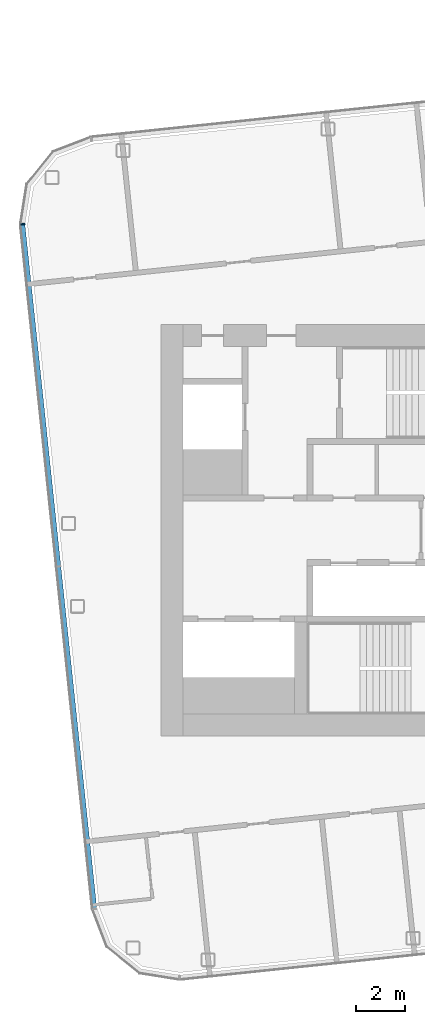
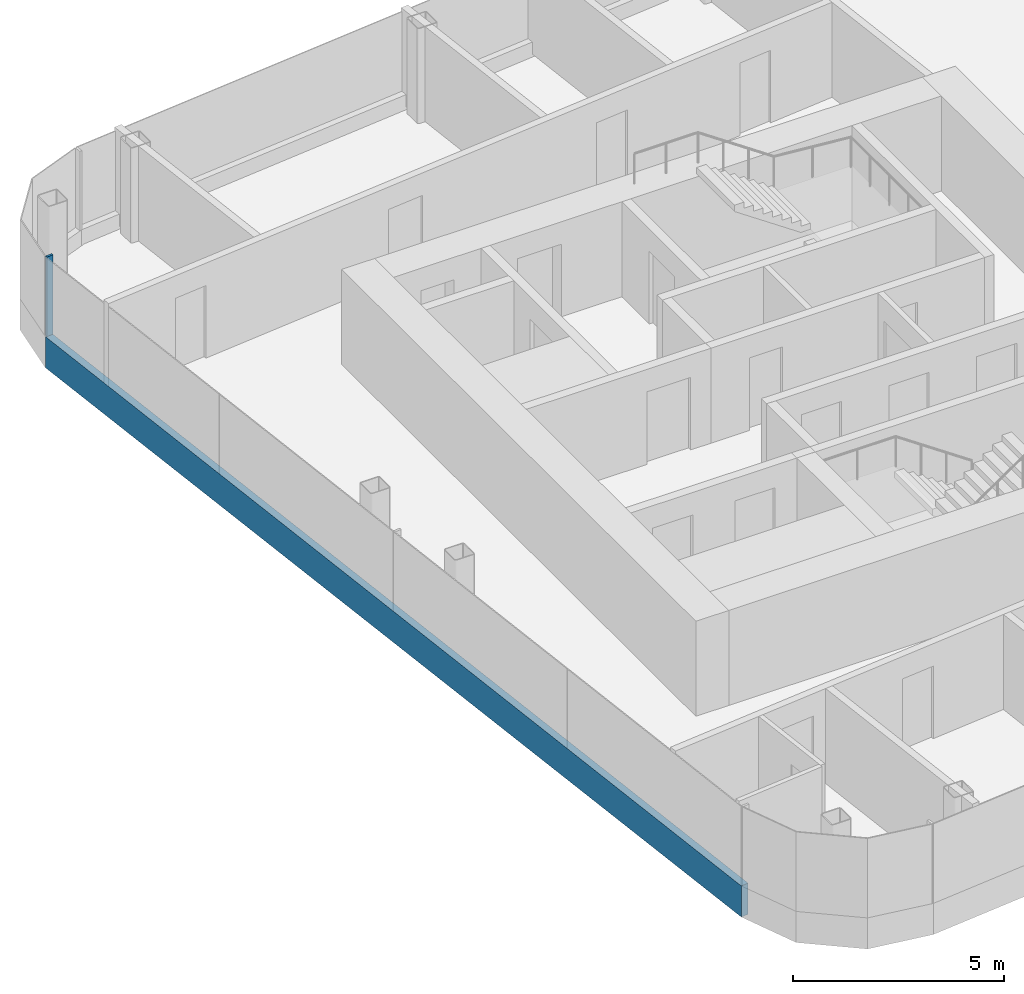
# One storey, part 4 of 27: 2 members, 1 element without a shape of its own.
"""IFC4 building model written with IfcOpenShell, lengths in metres."""

from ifc_helpers import new_model, si_unit, direction, frame, origin, origin_2d, place, context, subcontext, project, spatial, rectangle, extrude, material, layer, layer_set, material_profile, profile_set, type_object, element, aggregate, save


model = new_model("IFC4")

# Units and contexts
model_context = context("Model", 3, precision=1e-05, world=origin(), true_north=direction((0.0, 1.0)))
body_context = subcontext(model_context, "Body", "Model", "MODEL_VIEW")
ifc_project = project(units=[si_unit("LENGTHUNIT", "METRE"), si_unit("AREAUNIT", "SQUARE_METRE"), si_unit("VOLUMEUNIT", "CUBIC_METRE"), si_unit("PLANEANGLEUNIT", "RADIAN"), si_unit("MASSUNIT", "GRAM", prefix="KILO")], contexts=[model_context])

# Site, building, storey
site_placement = place(None, origin())
site = spatial("IfcSite", under=ifc_project, at=site_placement, CompositionType="ELEMENT")
building_placement = place(site_placement, origin())
building = spatial("IfcBuilding", under=site, at=building_placement, Name="Hakoniwa Tower and Hamabe Station Hall", CompositionType="ELEMENT")
storey_placement = place(building_placement, frame((0.0, 0.0, 255.0)))
storey = spatial("IfcBuildingStorey", under=building, at=storey_placement, Name="L72", CompositionType="ELEMENT", Elevation=255.0)

# Curtain wall, members
ifc_material_1 = material(Name="Dark low-e laminated glass", Category="glass")
ifc_layer = layer(ifc_material_1, 0.199951171875)
ifc_layer_set = layer_set([ifc_layer], Name="CW-1 UNITISED GUEST")
curtain_wall_type = type_object("IfcCurtainWallType", Name="CW-1 UNITISED GUEST", PredefinedType="NOTDEFINED", material=ifc_layer_set)
curtain_wall_placement = place(storey_placement, origin())
curtain_wall = element("IfcCurtainWall", 1, at=curtain_wall_placement, inside=storey, type_object=curtain_wall_type, Name="CW-1 curtain wall", PredefinedType="NOTDEFINED")
ifc_material_2 = material(Name="Aluminium 6063-T5 black anodised", Category="aluminium")
ifc_material_profile_1 = material_profile(ifc_material_2, rectangle(XDim=0.199951171875, YDim=0.89990234375, at=origin_2d()), Name="CW SLAB-EDGE BAND 900X200")
ifc_profile_set_1 = profile_set([ifc_material_profile_1], Name="Aluminium 6063-T5 black anodised")
member_type_1 = type_object("IfcMemberType", Name="CW SLAB-EDGE BAND 900X200", PredefinedType="USERDEFINED", material=ifc_profile_set_1)
member_1_placement = place(storey_placement, frame((-39.25927734375, 12.490478515625, -0.10009765625), z_axis=(0.104529086463, -0.994521829868, 0.0), x_axis=(0.994521829868, 0.104529086463, 0.0)))
member_1 = element("IfcMember", 2, at=member_1_placement, type_object=member_type_1, Name="CW-1 transom", ObjectType="TRANSOM", PredefinedType="USERDEFINED", context=body_context, shape_type="SweptSolid", body=[
    extrude(rectangle(XDim=0.199951171875, YDim=0.89990234375, at=origin_2d()), origin(), (0.0, 0.0, 1.0), 28.078857421875),
])
ifc_material_3 = material(Name="Aluminium 6063-T5 black anodised", Category="aluminium")
ifc_material_profile_2 = material_profile(ifc_material_3, rectangle(XDim=0.06005859375, YDim=0.179931640625, at=origin_2d()), Name="CW-1 MULLION 60X180")
ifc_profile_set_2 = profile_set([ifc_material_profile_2], Name="Aluminium 6063-T5 black anodised")
member_type_2 = type_object("IfcMemberType", Name="CW-1 MULLION 60X180", PredefinedType="MULLION", material=ifc_profile_set_2)
member_2_placement = place(storey_placement, frame((-39.241455078125, 12.492431640625, 0.35009765625), z_axis=(0.0, 0.0, 1.0), x_axis=(0.104528468631, -0.994521894805, 0.0)))
member_2 = element("IfcMember", 3, at=member_2_placement, type_object=member_type_2, Name="CW-1 mullion", PredefinedType="MULLION", context=body_context, shape_type="SweptSolid", body=[
    extrude(rectangle(XDim=0.06005859375, YDim=0.179931640625, at=origin_2d()), origin(), (0.0, 0.0, 1.0), 2.2998046875),
])
aggregate(curtain_wall, [member_2, member_1])

save(model, "model.ifc")
